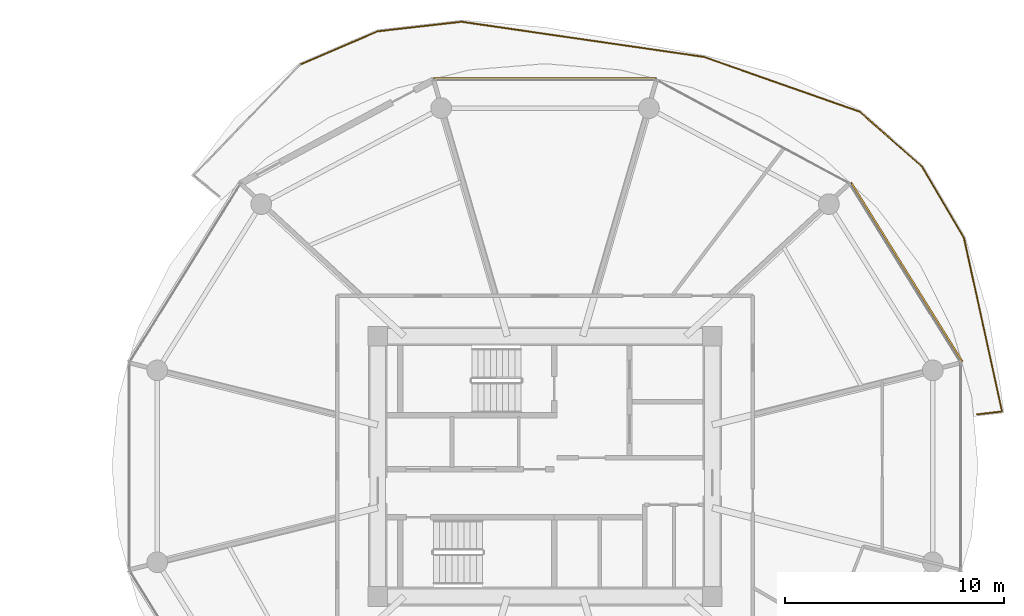
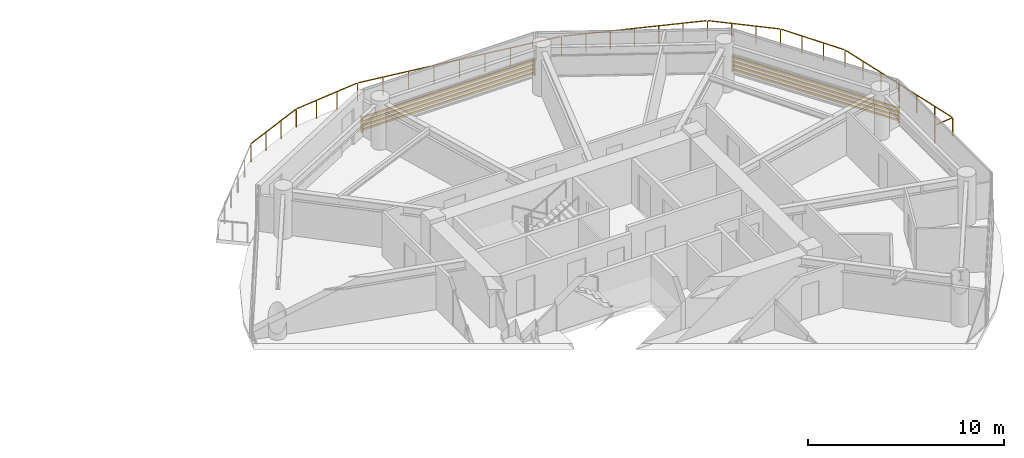
# One storey, part 26 of 26: 2 shading devices, 1 railing.
"""IFC4 building model written with IfcOpenShell, lengths in metres."""

from ifc_helpers import new_model, si_unit, direction, frame, origin, origin_2d, place, context, subcontext, project, spatial, rectangle, extrude, source, transform, mapped, material, type_object, type_shapes, element, save


model = new_model("IFC4")

# Units and contexts
model_context = context("Model", 3, precision=1e-05, world=origin(), true_north=direction((0.0, 1.0)))
body_context = subcontext(model_context, "Body", "Model", "MODEL_VIEW")
ifc_project = project(units=[si_unit("LENGTHUNIT", "METRE"), si_unit("AREAUNIT", "SQUARE_METRE"), si_unit("VOLUMEUNIT", "CUBIC_METRE"), si_unit("PLANEANGLEUNIT", "RADIAN"), si_unit("MASSUNIT", "GRAM", prefix="KILO")], contexts=[model_context])

# Site, building, storey
site_placement = place(None, origin())
site = spatial("IfcSite", under=ifc_project, at=site_placement, CompositionType="ELEMENT")
building_placement = place(site_placement, origin())
building = spatial("IfcBuilding", under=site, at=building_placement, Name="Norrkilde Senior Care Towers", CompositionType="ELEMENT")
storey_placement = place(building_placement, frame((0.0, 0.0, 49.050048828125)))
storey = spatial("IfcBuildingStorey", under=building, at=storey_placement, Name="L14", CompositionType="ELEMENT", Elevation=49.050048828125)

# Railing
ifc_material_1 = material(Name="Anodised Aluminium", Category="aluminium")
railing_type = type_object("IfcRailingType", Name="Balcony Swirl Ribbon Guardrail 1150", PredefinedType="GUARDRAIL", material=ifc_material_1)
railing_placement = place(storey_placement, frame((16.80322265625, 18.362548828125, 0.0)))
element("IfcRailing", 1, at=railing_placement, inside=storey, type_object=railing_type, Name="L14 Perimeter Safety Guard 01", PredefinedType="GUARDRAIL", context=body_context, shape_type="SweptSolid", body=[
    extrude(rectangle(XDim=0.048095703125, YDim=0.048095703125, at=origin_2d()), frame((0.0, 0.0, 1.1259765625), z_axis=(0.918705497564, 0.394943298139, 0.0), x_axis=(-0.394943298139, 0.918705497564, 0.0)), (0.0, 0.0, 1.0), 3.81396484375),
    extrude(rectangle(XDim=0.048095703125, YDim=0.048095703125, at=origin_2d()), frame((3.58203125, 1.527099609375, 1.1259765625), z_axis=(0.993600427128, 0.112952163379, 0.0), x_axis=(-0.112952163379, 0.993600427128, 0.0)), (0.0, 0.0, 1.0), 3.787353515625),
    extrude(rectangle(XDim=0.048095703125, YDim=0.048095703125, at=origin_2d()), frame((7.42626953125, 1.95361328125, 1.1259765625), z_axis=(0.989635989395, -0.14359877609, 0.0), x_axis=(0.14359877609, 0.989635989395, 0.0)), (0.0, 0.0, 1.0), 11.108642578125),
    extrude(rectangle(XDim=0.048095703125, YDim=0.048095703125, at=origin_2d()), frame((18.498779296875, 0.3388671875, 1.1259765625), z_axis=(0.943337888449, -0.331833735803, 0.0), x_axis=(0.331833735803, 0.943337888449, 0.0)), (0.0, 0.0, 1.0), 7.467529296875),
    extrude(rectangle(XDim=0.048095703125, YDim=0.048095703125, at=origin_2d()), frame((25.612548828125, -2.1796875, 1.1259765625), z_axis=(0.750362789945, -0.661026235082, 0.0), x_axis=(0.661026235082, 0.750362789945, 0.0)), (0.0, 0.0, 1.0), 3.716796875),
    extrude(rectangle(XDim=0.048095703125, YDim=0.048095703125, at=origin_2d()), frame((28.452880859375, -4.69873046875, 1.1259765625), z_axis=(0.507612362382, -0.861585567171, 0.0), x_axis=(0.861585567171, 0.507612362382, 0.0)), (0.0, 0.0, 1.0), 3.6826171875),
    extrude(rectangle(XDim=0.048095703125, YDim=0.048095703125, at=origin_2d()), frame((30.351806640625, -7.947021484375, 1.1259765625), z_axis=(0.214340980453, -0.976758897629, 0.0), x_axis=(0.976758897629, 0.214340980453, 0.0)), (0.0, 0.0, 1.0), 8.056640625),
    extrude(rectangle(XDim=0.048095703125, YDim=0.048095703125, at=origin_2d()), frame((32.046875, -15.86083984375, 1.1259765625), z_axis=(-0.993326207963, -0.115338825095, 0.0), x_axis=(0.115338825095, -0.993326207963, 0.0)), (0.0, 0.0, 1.0), 1.10009765625),
    extrude(rectangle(XDim=0.0419921875, YDim=0.0419921875, at=origin_2d()), origin(), (0.0, 0.0, 1.0), 1.099853515625),
    extrude(rectangle(XDim=0.0419921875, YDim=0.0419921875, at=origin_2d()), frame((1.180419921875, 0.507568359375, 0.0)), (0.0, 0.0, 1.0), 1.099853515625),
    extrude(rectangle(XDim=0.0419921875, YDim=0.0419921875, at=origin_2d()), frame((2.361083984375, 1.014892578125, 0.0)), (0.0, 0.0, 1.0), 1.099853515625),
    extrude(rectangle(XDim=0.0419921875, YDim=0.0419921875, at=origin_2d()), frame((3.54150390625, 1.5224609375, 0.0)), (0.0, 0.0, 1.0), 1.099853515625),
    extrude(rectangle(XDim=0.0419921875, YDim=0.0419921875, at=origin_2d()), frame((4.822998046875, 1.668212890625, 0.0)), (0.0, 0.0, 1.0), 1.099853515625),
    extrude(rectangle(XDim=0.0419921875, YDim=0.0419921875, at=origin_2d()), frame((6.104248046875, 1.813720703125, 0.0)), (0.0, 0.0, 1.0), 1.099853515625),
    extrude(rectangle(XDim=0.0419921875, YDim=0.0419921875, at=origin_2d()), frame((7.3857421875, 1.95947265625, 0.0)), (0.0, 0.0, 1.0), 1.099853515625),
    extrude(rectangle(XDim=0.0419921875, YDim=0.0419921875, at=origin_2d()), frame((8.77001953125, 1.758544921875, 0.0)), (0.0, 0.0, 1.0), 1.099853515625),
    extrude(rectangle(XDim=0.0419921875, YDim=0.0419921875, at=origin_2d()), frame((10.154296875, 1.5576171875, 0.0)), (0.0, 0.0, 1.0), 1.099853515625),
    extrude(rectangle(XDim=0.0419921875, YDim=0.0419921875, at=origin_2d()), frame((11.53857421875, 1.35693359375, 0.0)), (0.0, 0.0, 1.0), 1.099853515625),
    extrude(rectangle(XDim=0.0419921875, YDim=0.0419921875, at=origin_2d()), frame((12.9228515625, 1.156005859375, 0.0)), (0.0, 0.0, 1.0), 1.099853515625),
    extrude(rectangle(XDim=0.0419921875, YDim=0.0419921875, at=origin_2d()), frame((14.307373046875, 0.955078125, 0.0)), (0.0, 0.0, 1.0), 1.099853515625),
    extrude(rectangle(XDim=0.0419921875, YDim=0.0419921875, at=origin_2d()), frame((15.691650390625, 0.75439453125, 0.0)), (0.0, 0.0, 1.0), 1.099853515625),
    extrude(rectangle(XDim=0.0419921875, YDim=0.0419921875, at=origin_2d()), frame((17.075927734375, 0.553466796875, 0.0)), (0.0, 0.0, 1.0), 1.099853515625),
    extrude(rectangle(XDim=0.0419921875, YDim=0.0419921875, at=origin_2d()), frame((18.460205078125, 0.3525390625, 0.0)), (0.0, 0.0, 1.0), 1.099853515625),
    extrude(rectangle(XDim=0.0419921875, YDim=0.0419921875, at=origin_2d()), frame((19.647216796875, -0.06494140625, 0.0)), (0.0, 0.0, 1.0), 1.099853515625),
    extrude(rectangle(XDim=0.0419921875, YDim=0.0419921875, at=origin_2d()), frame((20.833984375, -0.482421875, 0.0)), (0.0, 0.0, 1.0), 1.099853515625),
    extrude(rectangle(XDim=0.0419921875, YDim=0.0419921875, at=origin_2d()), frame((22.02099609375, -0.89990234375, 0.0)), (0.0, 0.0, 1.0), 1.099853515625),
    extrude(rectangle(XDim=0.0419921875, YDim=0.0419921875, at=origin_2d()), frame((23.2080078125, -1.317626953125, 0.0)), (0.0, 0.0, 1.0), 1.099853515625),
    extrude(rectangle(XDim=0.0419921875, YDim=0.0419921875, at=origin_2d()), frame((24.394775390625, -1.735107421875, 0.0)), (0.0, 0.0, 1.0), 1.099853515625),
    extrude(rectangle(XDim=0.0419921875, YDim=0.0419921875, at=origin_2d()), frame((25.581787109375, -2.152587890625, 0.0)), (0.0, 0.0, 1.0), 1.099853515625),
    extrude(rectangle(XDim=0.0419921875, YDim=0.0419921875, at=origin_2d()), frame((26.531982421875, -2.989501953125, 0.0)), (0.0, 0.0, 1.0), 1.099853515625),
    extrude(rectangle(XDim=0.0419921875, YDim=0.0419921875, at=origin_2d()), frame((27.48193359375, -3.82666015625, 0.0)), (0.0, 0.0, 1.0), 1.099853515625),
    extrude(rectangle(XDim=0.0419921875, YDim=0.0419921875, at=origin_2d()), frame((28.43212890625, -4.66357421875, 0.0)), (0.0, 0.0, 1.0), 1.099853515625),
    extrude(rectangle(XDim=0.0419921875, YDim=0.0419921875, at=origin_2d()), frame((29.069091796875, -5.74462890625, 0.0)), (0.0, 0.0, 1.0), 1.099853515625),
    extrude(rectangle(XDim=0.0419921875, YDim=0.0419921875, at=origin_2d()), frame((29.7060546875, -6.825927734375, 0.0)), (0.0, 0.0, 1.0), 1.099853515625),
    extrude(rectangle(XDim=0.0419921875, YDim=0.0419921875, at=origin_2d()), frame((30.343017578125, -7.906982421875, 0.0)), (0.0, 0.0, 1.0), 1.099853515625),
    extrude(rectangle(XDim=0.0419921875, YDim=0.0419921875, at=origin_2d()), frame((30.6337890625, -9.23193359375, 0.0)), (0.0, 0.0, 1.0), 1.099853515625),
    extrude(rectangle(XDim=0.0419921875, YDim=0.0419921875, at=origin_2d()), frame((30.924560546875, -10.556640625, 0.0)), (0.0, 0.0, 1.0), 1.099853515625),
    extrude(rectangle(XDim=0.0419921875, YDim=0.0419921875, at=origin_2d()), frame((31.21533203125, -11.881591796875, 0.0)), (0.0, 0.0, 1.0), 1.099853515625),
    extrude(rectangle(XDim=0.0419921875, YDim=0.0419921875, at=origin_2d()), frame((31.505859375, -13.20654296875, 0.0)), (0.0, 0.0, 1.0), 1.099853515625),
    extrude(rectangle(XDim=0.0419921875, YDim=0.0419921875, at=origin_2d()), frame((31.796630859375, -14.53125, 0.0)), (0.0, 0.0, 1.0), 1.099853515625),
    extrude(rectangle(XDim=0.0419921875, YDim=0.0419921875, at=origin_2d()), frame((32.08740234375, -15.856201171875, 0.0)), (0.0, 0.0, 1.0), 1.099853515625),
    extrude(rectangle(XDim=0.0419921875, YDim=0.0419921875, at=origin_2d()), frame((30.9541015625, -15.98779296875, 0.0)), (0.0, 0.0, 1.0), 1.099853515625),
])

# Shading devices
ifc_material_2 = material(Name="Architectural Terracotta", Category="masonry")
shading_device_type = type_object("IfcShadingDeviceType", Name="Horizontal Terracotta Baguette Rack", PredefinedType="USERDEFINED", material=ifc_material_2)
shared_shape_1 = source(origin(), body_context, "Body", "SweptSolid", [
    extrude(rectangle(XDim=0.070068359375, YDim=0.110107421875, at=origin_2d()), frame((0.0, 0.090087890625, 0.125), z_axis=(1.0, 0.0, 0.0), x_axis=(0.0, 1.0, 0.0)), (0.0, 0.0, 1.0), 9.64892578125),
    extrude(rectangle(XDim=0.070068359375, YDim=0.110107421875, at=origin_2d()), frame((0.0, 0.090087890625, 0.375), z_axis=(1.0, 0.0, 0.0), x_axis=(0.0, 1.0, 0.0)), (0.0, 0.0, 1.0), 9.64892578125),
    extrude(rectangle(XDim=0.070068359375, YDim=0.110107421875, at=origin_2d()), frame((0.0, 0.090087890625, 0.625), z_axis=(1.0, 0.0, 0.0), x_axis=(0.0, 1.0, 0.0)), (0.0, 0.0, 1.0), 9.64892578125),
    extrude(rectangle(XDim=0.070068359375, YDim=0.110107421875, at=origin_2d()), frame((0.0, 0.090087890625, 0.875), z_axis=(1.0, 0.0, 0.0), x_axis=(0.0, 1.0, 0.0)), (0.0, 0.0, 1.0), 9.64892578125),
    extrude(rectangle(XDim=0.050048828125, YDim=0.1552734375, at=origin_2d()), frame((0.02490234375, 0.047607421875, 0.0)), (0.0, 0.0, 1.0), 1.0),
    extrude(rectangle(XDim=0.050048828125, YDim=0.1552734375, at=origin_2d()), frame((9.6240234375, 0.047607421875, 0.0)), (0.0, 0.0, 1.0), 1.0),
])
shading_device_1_placement = place(storey_placement, frame((41.915771484375, 12.926025390625, 0.079833984375), z_axis=(0.0, 0.0, 1.0), x_axis=(0.527908506655, -0.849299124538, 0.0)))
element("IfcShadingDevice", 2, at=shading_device_1_placement, inside=storey, type_object=shading_device_type, Name="L14 Drum E Terracotta Baguette Screen 00", ObjectType="BAGUETTE", PredefinedType="USERDEFINED", context=body_context, shape_type="MappedRepresentation", body=[
    mapped(shared_shape_1, transform((0.0, 0.0, 0.0), x_axis=(1.0, 0.0, 0.0), y_axis=(0.0, 1.0, 0.0), z_axis=(0.0, 0.0, 1.0), scale=1.0)),
])
shared_shape_2 = source(origin(), body_context, "Body", "SweptSolid", [
    extrude(rectangle(XDim=0.070068359375, YDim=0.110107421875, at=origin_2d()), frame((0.0, 0.090087890625, 0.125), z_axis=(1.0, 0.0, 0.0), x_axis=(0.0, 1.0, 0.0)), (0.0, 0.0, 1.0), 10.18701171875),
    extrude(rectangle(XDim=0.070068359375, YDim=0.110107421875, at=origin_2d()), frame((0.0, 0.090087890625, 0.375), z_axis=(1.0, 0.0, 0.0), x_axis=(0.0, 1.0, 0.0)), (0.0, 0.0, 1.0), 10.18701171875),
    extrude(rectangle(XDim=0.070068359375, YDim=0.110107421875, at=origin_2d()), frame((0.0, 0.090087890625, 0.625), z_axis=(1.0, 0.0, 0.0), x_axis=(0.0, 1.0, 0.0)), (0.0, 0.0, 1.0), 10.18701171875),
    extrude(rectangle(XDim=0.070068359375, YDim=0.110107421875, at=origin_2d()), frame((0.0, 0.090087890625, 0.875), z_axis=(1.0, 0.0, 0.0), x_axis=(0.0, 1.0, 0.0)), (0.0, 0.0, 1.0), 10.18701171875),
    extrude(rectangle(XDim=0.050048828125, YDim=0.1552734375, at=origin_2d()), frame((0.02490234375, 0.047607421875, 0.0)), (0.0, 0.0, 1.0), 1.0),
    extrude(rectangle(XDim=0.050048828125, YDim=0.1552734375, at=origin_2d()), frame((10.162109375, 0.047607421875, 0.0)), (0.0, 0.0, 1.0), 1.0),
])
type_shapes(shading_device_type, [shared_shape_1, shared_shape_2])
shading_device_2_placement = place(storey_placement, frame((22.906494140625, 17.6572265625, 0.079833984375), z_axis=(0.0, 0.0, 1.0), x_axis=(1.0, 0.0, 0.0)))
element("IfcShadingDevice", 3, at=shading_device_2_placement, inside=storey, type_object=shading_device_type, Name="L14 Drum E Terracotta Baguette Screen 02", ObjectType="BAGUETTE", PredefinedType="USERDEFINED", context=body_context, shape_type="MappedRepresentation", body=[
    mapped(shared_shape_2, transform((0.0, 0.0, 0.0), x_axis=(1.0, 0.0, 0.0), y_axis=(0.0, 1.0, 0.0), z_axis=(0.0, 0.0, 1.0), scale=1.0)),
])

save(model, "model.ifc")
